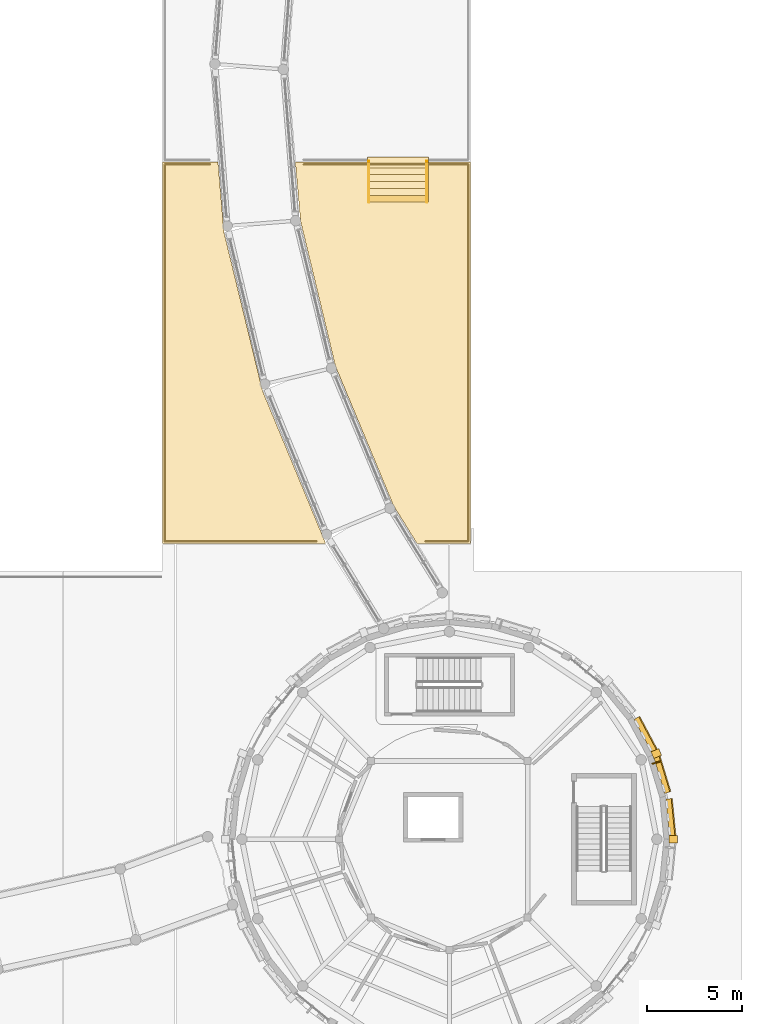
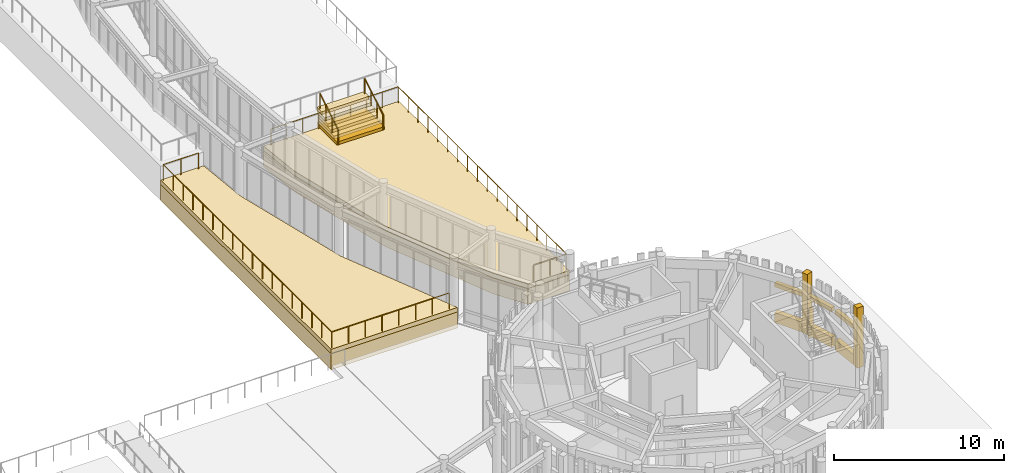
# One storey, part 89 of 94: 18 coverings, 4 railings, 1 shading device.
"""IFC4 building model written with IfcOpenShell, lengths in metres."""

from ifc_helpers import new_model, si_unit, direction, frame, origin, origin_2d, place, context, subcontext, project, spatial, polyline, rectangle, circle, outline, extrude, material, layer, layer_set, type_object, element, save


model = new_model("IFC4")

# Units and contexts
model_context = context("Model", 3, precision=1e-05, world=origin(), true_north=direction((0.0, 1.0)))
body_context = subcontext(model_context, "Body", "Model", "MODEL_VIEW")
ifc_project = project(units=[si_unit("LENGTHUNIT", "METRE"), si_unit("AREAUNIT", "SQUARE_METRE"), si_unit("VOLUMEUNIT", "CUBIC_METRE"), si_unit("PLANEANGLEUNIT", "RADIAN"), si_unit("MASSUNIT", "GRAM", prefix="KILO")], contexts=[model_context])

# Site, building, storey
site_placement = place(None, origin())
site = spatial("IfcSite", under=ifc_project, at=site_placement, CompositionType="ELEMENT")
building_placement = place(site_placement, origin())
building = spatial("IfcBuilding", under=site, at=building_placement, Name="Aldenvaro Health Centre", CompositionType="ELEMENT")
storey_placement = place(building_placement, origin())
storey = spatial("IfcBuildingStorey", under=building, at=storey_placement, Name="L00", CompositionType="ELEMENT", Elevation=0.0)

# Coverings
ifc_material_1 = material(Name="Honed Sonoran Buff Limestone", Category="masonry")
ifc_layer_1 = layer(ifc_material_1, 0.280029296875, Name="Honed Sonoran Buff Limestone", Category="masonry")
ifc_layer_set_1 = layer_set([ifc_layer_1], Name="Honed Sonoran Buff Limestone")
covering_type_1 = type_object("IfcCoveringType", Name="COV-CRN-STN", PredefinedType="CLADDING", material=ifc_layer_set_1)
covering_1_placement = place(storey_placement, frame((166.239990234375, 18.5, -0.00048828125), z_axis=(0.0, 0.0, 1.0), x_axis=(1.0, 0.0, 0.0)))
element("IfcCovering", 1, at=covering_1_placement, inside=storey, type_object=covering_type_1, Name="D6 L00 Engaged Classical Limestone Pilaster 01", PredefinedType="CLADDING", context=body_context, shape_type="SweptSolid", body=[
    extrude(rectangle(XDim=0.43994140625, YDim=0.3798828125, at=origin_2d()), origin(), (0.0, 0.0, 1.0), 4.304931640625),
])
covering_2_placement = place(storey_placement, frame((164.7919921875, 24.001953125, 0.0), z_axis=(0.0, 0.0, 1.0), x_axis=(0.471215232797, -0.882018256263, 0.0)))
element("IfcCovering", 2, at=covering_2_placement, inside=storey, type_object=covering_type_1, Name="D6 L00 Rusticated Limestone Plinth 30.1", PredefinedType="CLADDING", context=body_context, shape_type="SweptSolid", body=[
    extrude(rectangle(XDim=1.955078125, YDim=0.340087890625, at=origin_2d()), origin(), (0.0, 0.0, 1.0), 0.719970703125),
])
covering_3_placement = place(storey_placement, frame((164.76611328125, 23.988037109375, 2.5498046875), z_axis=(0.0, 0.0, 1.0), x_axis=(0.471215232797, -0.882018256263, 0.0)))
element("IfcCovering", 3, at=covering_3_placement, inside=storey, type_object=covering_type_1, Name="D6 L00 Rusticated Limestone Plinth 30.2", PredefinedType="CLADDING", context=body_context, shape_type="SweptSolid", body=[
    extrude(rectangle(XDim=1.955078125, YDim=0.280029296875, at=origin_2d()), origin(), (0.0, 0.0, 1.0), 0.280029296875),
])
covering_4_placement = place(storey_placement, frame((165.6669921875, 21.887939453125, 0.0), z_axis=(0.0, 0.0, 1.0), x_axis=(0.290342622208, -0.956922756407, 0.0)))
element("IfcCovering", 4, at=covering_4_placement, inside=storey, type_object=covering_type_1, Name="D6 L00 Rusticated Limestone Plinth 31.1", PredefinedType="CLADDING", context=body_context, shape_type="SweptSolid", body=[
    extrude(rectangle(XDim=1.955078125, YDim=0.340087890625, at=origin_2d()), origin(), (0.0, 0.0, 1.0), 0.719970703125),
])
covering_5_placement = place(storey_placement, frame((165.638916015625, 21.87890625, 2.5498046875), z_axis=(0.0, 0.0, 1.0), x_axis=(0.290342622208, -0.956922756407, 0.0)))
element("IfcCovering", 5, at=covering_5_placement, inside=storey, type_object=covering_type_1, Name="D6 L00 Rusticated Limestone Plinth 31.2", PredefinedType="CLADDING", context=body_context, shape_type="SweptSolid", body=[
    extrude(rectangle(XDim=1.955078125, YDim=0.280029296875, at=origin_2d()), origin(), (0.0, 0.0, 1.0), 0.280029296875),
])
covering_6_placement = place(storey_placement, frame((165.345947265625, 22.992919921875, -0.00048828125), z_axis=(0.0, 0.0, 1.0), x_axis=(0.923863939312, 0.38272107551, 0.0)))
element("IfcCovering", 6, at=covering_6_placement, inside=storey, type_object=covering_type_1, Name="D6 L00 Engaged Classical Limestone Pilaster 16", PredefinedType="CLADDING", context=body_context, shape_type="SweptSolid", body=[
    extrude(rectangle(XDim=0.43994140625, YDim=0.3798828125, at=origin_2d()), origin(), (0.0, 0.0, 1.0), 4.304931640625),
])
covering_7_placement = place(storey_placement, frame((166.114013671875, 19.64404296875, 0.0), z_axis=(0.0, 0.0, 1.0), x_axis=(0.097997250052, -0.995186685493, 0.0)))
element("IfcCovering", 7, at=covering_7_placement, inside=storey, type_object=covering_type_1, Name="D6 L00 Rusticated Limestone Plinth 32.1", PredefinedType="CLADDING", context=body_context, shape_type="SweptSolid", body=[
    extrude(rectangle(XDim=1.955078125, YDim=0.340087890625, at=origin_2d()), origin(), (0.0, 0.0, 1.0), 0.719970703125),
])
covering_8_placement = place(storey_placement, frame((166.083984375, 19.64111328125, 2.5498046875), z_axis=(0.0, 0.0, 1.0), x_axis=(0.097997250052, -0.995186685493, 0.0)))
element("IfcCovering", 8, at=covering_8_placement, inside=storey, type_object=covering_type_1, Name="D6 L00 Rusticated Limestone Plinth 32.2", PredefinedType="CLADDING", context=body_context, shape_type="SweptSolid", body=[
    extrude(rectangle(XDim=1.955078125, YDim=0.280029296875, at=origin_2d()), origin(), (0.0, 0.0, 1.0), 0.280029296875),
])
covering_9_placement = place(storey_placement, frame((0.0, 0.0, -0.320068359375)))
element("IfcCovering", 9, at=covering_9_placement, inside=storey, type_object=covering_type_1, Name="Lower Foothill Wing and Amphitheatre Court Terrace Rusticated Foothill Stone Plinth 1", PredefinedType="CLADDING", context=body_context, shape_type="SweptSolid", body=[
    extrude(outline(polyline([(146.69189453125, 50.9150390625), (146.419921875, 54.0), (155.60009765625, 54.0), (155.60009765625, 34.0), (152.804931640625, 34.0), (151.56494140625, 35.993896484375), (148.52099609375, 43.304931640625), (146.69189453125, 50.9150390625)])), origin(), (0.0, 0.0, 1.0), 1.150146484375),
])
covering_10_placement = place(storey_placement, frame((0.0, 0.0, -0.320068359375)))
element("IfcCovering", 10, at=covering_10_placement, inside=storey, type_object=covering_type_1, Name="Lower Foothill Wing and Amphitheatre Court Terrace Rusticated Foothill Stone Plinth 2", PredefinedType="CLADDING", context=body_context, shape_type="SweptSolid", body=[
    extrude(outline(polyline([(142.680908203125, 50.321044921875), (144.702880859375, 42.006103515625), (148.01806640625, 34.0), (139.449951171875, 34.0), (139.449951171875, 54.0), (142.366943359375, 54.0), (142.680908203125, 50.321044921875)])), origin(), (0.0, 0.0, 1.0), 1.150146484375),
])
covering_11_placement = place(storey_placement, frame((0.0, 0.0, -0.320068359375)))
element("IfcCovering", 11, at=covering_11_placement, inside=storey, type_object=covering_type_1, Name="Classical Terrace Grand Stair GST-E1 Solid Stone Carriage", PredefinedType="CLADDING", context=body_context, shape_type="SweptSolid", body=[
    extrude(outline(polyline([(150.199951171875, 51.89990234375), (153.39990234375, 51.89990234375), (153.39990234375, 54.260009765625), (150.199951171875, 54.260009765625), (150.199951171875, 51.89990234375)])), origin(), (0.0, 0.0, 1.0), 1.68701171875),
])
ifc_material_2 = material(Name="Honed Sonoran Buff Travertine", Category="masonry")
ifc_layer_2 = layer(ifc_material_2, 0.320068359375, Name="Honed Sonoran Buff Travertine", Category="masonry")
ifc_layer_set_2 = layer_set([ifc_layer_2], Name="Honed Sonoran Buff Travertine")
covering_type_2 = type_object("IfcCoveringType", Name="COV-POD-320", PredefinedType="FLOORING", material=ifc_layer_set_2)
covering_12_placement = place(storey_placement, frame((0.0, 0.0, 0.830078125)))
element("IfcCovering", 12, at=covering_12_placement, inside=storey, type_object=covering_type_2, Name="Lower Foothill Wing and Amphitheatre Court Terrace Coping Deck 1", PredefinedType="FLOORING", context=body_context, shape_type="SweptSolid", body=[
    extrude(outline(polyline([(146.69189453125, 50.9150390625), (146.419921875, 54.0), (155.60009765625, 54.0), (155.60009765625, 34.0), (152.804931640625, 34.0), (151.56494140625, 35.993896484375), (148.52099609375, 43.304931640625), (146.69189453125, 50.9150390625)])), origin(), (0.0, 0.0, 1.0), 0.31982421875),
])
covering_13_placement = place(storey_placement, frame((0.0, 0.0, 0.830078125)))
element("IfcCovering", 13, at=covering_13_placement, inside=storey, type_object=covering_type_2, Name="Lower Foothill Wing and Amphitheatre Court Terrace Coping Deck 2", PredefinedType="FLOORING", context=body_context, shape_type="SweptSolid", body=[
    extrude(outline(polyline([(142.680908203125, 50.321044921875), (144.702880859375, 42.006103515625), (148.01806640625, 34.0), (139.449951171875, 34.0), (139.449951171875, 54.0), (142.366943359375, 54.0), (142.680908203125, 50.321044921875)])), origin(), (0.0, 0.0, 1.0), 0.31982421875),
])
covering_14_placement = place(storey_placement, frame((0.0, 0.0, 1.366943359375)))
element("IfcCovering", 14, at=covering_14_placement, inside=storey, type_object=covering_type_2, Name="Classical Terrace Grand Stair GST-E1 Stone Step 2", PredefinedType="FLOORING", context=body_context, shape_type="SweptSolid", body=[
    extrude(outline(polyline([(150.199951171875, 52.260009765625), (153.39990234375, 52.260009765625), (153.39990234375, 54.260009765625), (150.199951171875, 54.260009765625), (150.199951171875, 52.260009765625)])), origin(), (0.0, 0.0, 1.0), 0.216064453125),
])
covering_15_placement = place(storey_placement, frame((0.0, 0.0, 1.5830078125)))
element("IfcCovering", 15, at=covering_15_placement, inside=storey, type_object=covering_type_2, Name="Classical Terrace Grand Stair GST-E1 Stone Step 3", PredefinedType="FLOORING", context=body_context, shape_type="SweptSolid", body=[
    extrude(outline(polyline([(150.199951171875, 52.6201171875), (153.39990234375, 52.6201171875), (153.39990234375, 54.260009765625), (150.199951171875, 54.260009765625), (150.199951171875, 52.6201171875)])), origin(), (0.0, 0.0, 1.0), 0.217041015625),
])
covering_16_placement = place(storey_placement, frame((0.0, 0.0, 1.800048828125)))
element("IfcCovering", 16, at=covering_16_placement, inside=storey, type_object=covering_type_2, Name="Classical Terrace Grand Stair GST-E1 Stone Step 4", PredefinedType="FLOORING", context=body_context, shape_type="SweptSolid", body=[
    extrude(outline(polyline([(150.199951171875, 52.97998046875), (153.39990234375, 52.97998046875), (153.39990234375, 54.260009765625), (150.199951171875, 54.260009765625), (150.199951171875, 52.97998046875)])), origin(), (0.0, 0.0, 1.0), 0.217041015625),
])
covering_17_placement = place(storey_placement, frame((0.0, 0.0, 2.01708984375)))
element("IfcCovering", 17, at=covering_17_placement, inside=storey, type_object=covering_type_2, Name="Classical Terrace Grand Stair GST-E1 Stone Step 5", PredefinedType="FLOORING", context=body_context, shape_type="SweptSolid", body=[
    extrude(outline(polyline([(150.199951171875, 53.340087890625), (153.39990234375, 53.340087890625), (153.39990234375, 54.260009765625), (150.199951171875, 54.260009765625), (150.199951171875, 53.340087890625)])), origin(), (0.0, 0.0, 1.0), 0.2158203125),
])
covering_18_placement = place(storey_placement, frame((0.0, 0.0, 2.23291015625)))
element("IfcCovering", 18, at=covering_18_placement, inside=storey, type_object=covering_type_2, Name="Classical Terrace Grand Stair GST-E1 Stone Step 6", PredefinedType="FLOORING", context=body_context, shape_type="SweptSolid", body=[
    extrude(outline(polyline([(150.199951171875, 53.699951171875), (153.39990234375, 53.699951171875), (153.39990234375, 54.260009765625), (150.199951171875, 54.260009765625), (150.199951171875, 53.699951171875)])), origin(), (0.0, 0.0, 1.0), 0.217041015625),
])

# Railings
ifc_material_3 = material(Name="Painted Architectural Steel", Category="steel")
railing_type_1 = type_object("IfcRailingType", Name="RL-BAL-110", PredefinedType="GUARDRAIL", material=ifc_material_3)
for number, where, name in (
    (19, (150.280029296875, 51.89990234375, 1.14990234375), "Classical Terrace Grand Stair GST-E1 Balustrade W"),
    (20, (153.320068359375, 51.89990234375, 1.14990234375), "Classical Terrace Grand Stair GST-E1 Balustrade E"),
):
    element("IfcRailing", number, at=place(storey_placement, frame(where)), inside=storey, type_object=railing_type_1, Name=name, PredefinedType="GUARDRAIL", context=body_context, shape_type="SweptSolid", body=[
        extrude(circle(Radius=0.02392578125, at=origin_2d()), frame((0.0, 0.0, 1.076171875), z_axis=(0.0, 0.856800061236, 0.515648771031), x_axis=(-1.0, 0.0, 0.0)), (0.0, 0.0, 1.0), 2.521240234375),
        extrude(circle(Radius=0.02099609375, at=origin_2d()), origin(), (0.0, 0.0, 1.0), 1.052001953125),
        extrude(circle(Radius=0.02099609375, at=origin_2d()), frame((0.0, 0.719970703125, 0.433349609375)), (0.0, 0.0, 1.0), 1.052001953125),
        extrude(circle(Radius=0.02099609375, at=origin_2d()), frame((0.0, 1.440185546875, 0.86669921875)), (0.0, 0.0, 1.0), 1.052001953125),
        extrude(circle(Radius=0.02099609375, at=origin_2d()), frame((0.0, 2.16015625, 1.300048828125)), (0.0, 0.0, 1.0), 1.052001953125),
    ])
railing_type_2 = type_object("IfcRailingType", Name="RL-BAL-115", PredefinedType="GUARDRAIL", material=ifc_material_3)
railing_1_placement = place(storey_placement, frame((146.860107421875, 53.8798828125, 1.14990234375)))
element("IfcRailing", 21, at=railing_1_placement, inside=storey, type_object=railing_type_2, Name="Lower Foothill Wing and Amphitheatre Court Terrace Classical Balustrade 1", PredefinedType="GUARDRAIL", context=body_context, shape_type="SweptSolid", body=[
    extrude(circle(Radius=0.02392578125, at=origin_2d()), frame((0.0, 0.0, 1.1357421875), z_axis=(1.0, 0.0, 0.0), x_axis=(0.0, 1.0, 0.0)), (0.0, 0.0, 1.0), 8.619873046875),
    extrude(circle(Radius=0.02392578125, at=origin_2d()), frame((8.619873046875, 0.0, 1.1357421875), z_axis=(0.0, -1.0, 0.0), x_axis=(1.0, 0.0, 0.0)), (0.0, 0.0, 1.0), 19.759765625),
    extrude(circle(Radius=0.02392578125, at=origin_2d()), frame((8.619873046875, -19.759765625, 1.1357421875), z_axis=(-1.0, 0.0, 0.0), x_axis=(0.0, -1.0, 0.0)), (0.0, 0.0, 1.0), 2.243896484375),
    extrude(circle(Radius=0.02099609375, at=origin_2d()), origin(), (0.0, 0.0, 1.0), 1.11181640625),
    extrude(circle(Radius=0.02099609375, at=origin_2d()), frame((1.077392578125, 0.0, 0.0)), (0.0, 0.0, 1.0), 1.11181640625),
    extrude(circle(Radius=0.02099609375, at=origin_2d()), frame((2.155029296875, 0.0, 0.0)), (0.0, 0.0, 1.0), 1.11181640625),
    extrude(circle(Radius=0.02099609375, at=origin_2d()), frame((3.232421875, 0.0, 0.0)), (0.0, 0.0, 1.0), 1.11181640625),
    extrude(circle(Radius=0.02099609375, at=origin_2d()), frame((4.31005859375, 0.0, 0.0)), (0.0, 0.0, 1.0), 1.11181640625),
    extrude(circle(Radius=0.02099609375, at=origin_2d()), frame((5.387451171875, 0.0, 0.0)), (0.0, 0.0, 1.0), 1.11181640625),
    extrude(circle(Radius=0.02099609375, at=origin_2d()), frame((6.46484375, 0.0, 0.0)), (0.0, 0.0, 1.0), 1.11181640625),
    extrude(circle(Radius=0.02099609375, at=origin_2d()), frame((7.54248046875, 0.0, 0.0)), (0.0, 0.0, 1.0), 1.11181640625),
    extrude(circle(Radius=0.02099609375, at=origin_2d()), frame((8.619873046875, 0.0, 0.0)), (0.0, 0.0, 1.0), 1.11181640625),
    extrude(circle(Radius=0.02099609375, at=origin_2d()), frame((8.619873046875, -1.162353515625, 0.0)), (0.0, 0.0, 1.0), 1.11181640625),
    extrude(circle(Radius=0.02099609375, at=origin_2d()), frame((8.619873046875, -2.32470703125, 0.0)), (0.0, 0.0, 1.0), 1.11181640625),
    extrude(circle(Radius=0.02099609375, at=origin_2d()), frame((8.619873046875, -3.487060546875, 0.0)), (0.0, 0.0, 1.0), 1.11181640625),
    extrude(circle(Radius=0.02099609375, at=origin_2d()), frame((8.619873046875, -4.6494140625, 0.0)), (0.0, 0.0, 1.0), 1.11181640625),
    extrude(circle(Radius=0.02099609375, at=origin_2d()), frame((8.619873046875, -5.811767578125, 0.0)), (0.0, 0.0, 1.0), 1.11181640625),
    extrude(circle(Radius=0.02099609375, at=origin_2d()), frame((8.619873046875, -6.97412109375, 0.0)), (0.0, 0.0, 1.0), 1.11181640625),
    extrude(circle(Radius=0.02099609375, at=origin_2d()), frame((8.619873046875, -8.136474609375, 0.0)), (0.0, 0.0, 1.0), 1.11181640625),
    extrude(circle(Radius=0.02099609375, at=origin_2d()), frame((8.619873046875, -9.298828125, 0.0)), (0.0, 0.0, 1.0), 1.11181640625),
    extrude(circle(Radius=0.02099609375, at=origin_2d()), frame((8.619873046875, -10.4609375, 0.0)), (0.0, 0.0, 1.0), 1.11181640625),
    extrude(circle(Radius=0.02099609375, at=origin_2d()), frame((8.619873046875, -11.623291015625, 0.0)), (0.0, 0.0, 1.0), 1.11181640625),
    extrude(circle(Radius=0.02099609375, at=origin_2d()), frame((8.619873046875, -12.78564453125, 0.0)), (0.0, 0.0, 1.0), 1.11181640625),
    extrude(circle(Radius=0.02099609375, at=origin_2d()), frame((8.619873046875, -13.947998046875, 0.0)), (0.0, 0.0, 1.0), 1.11181640625),
    extrude(circle(Radius=0.02099609375, at=origin_2d()), frame((8.619873046875, -15.1103515625, 0.0)), (0.0, 0.0, 1.0), 1.11181640625),
    extrude(circle(Radius=0.02099609375, at=origin_2d()), frame((8.619873046875, -16.272705078125, 0.0)), (0.0, 0.0, 1.0), 1.11181640625),
    extrude(circle(Radius=0.02099609375, at=origin_2d()), frame((8.619873046875, -17.43505859375, 0.0)), (0.0, 0.0, 1.0), 1.11181640625),
    extrude(circle(Radius=0.02099609375, at=origin_2d()), frame((8.619873046875, -18.597412109375, 0.0)), (0.0, 0.0, 1.0), 1.11181640625),
    extrude(circle(Radius=0.02099609375, at=origin_2d()), frame((8.619873046875, -19.759765625, 0.0)), (0.0, 0.0, 1.0), 1.11181640625),
    extrude(circle(Radius=0.02099609375, at=origin_2d()), frame((7.498046875, -19.759765625, 0.0)), (0.0, 0.0, 1.0), 1.11181640625),
    extrude(circle(Radius=0.02099609375, at=origin_2d()), frame((6.3759765625, -19.759765625, 0.0)), (0.0, 0.0, 1.0), 1.11181640625),
])
railing_2_placement = place(storey_placement, frame((147.52197265625, 34.1201171875, 1.14990234375)))
element("IfcRailing", 22, at=railing_2_placement, inside=storey, type_object=railing_type_2, Name="Lower Foothill Wing and Amphitheatre Court Terrace Classical Balustrade 2", PredefinedType="GUARDRAIL", context=body_context, shape_type="SweptSolid", body=[
    extrude(circle(Radius=0.02392578125, at=origin_2d()), frame((0.0, 0.0, 1.1357421875), z_axis=(-1.0, 0.0, 0.0), x_axis=(0.0, -1.0, 0.0)), (0.0, 0.0, 1.0), 7.951904296875),
    extrude(circle(Radius=0.02392578125, at=origin_2d()), frame((-7.951904296875, 0.0, 1.1357421875), z_axis=(0.0, 1.0, 0.0), x_axis=(-1.0, 0.0, 0.0)), (0.0, 0.0, 1.0), 19.759765625),
    extrude(circle(Radius=0.02392578125, at=origin_2d()), frame((-7.951904296875, 19.759765625, 1.1357421875), z_axis=(1.0, 0.0, 0.0), x_axis=(0.0, 1.0, 0.0)), (0.0, 0.0, 1.0), 2.375),
    extrude(circle(Radius=0.02099609375, at=origin_2d()), origin(), (0.0, 0.0, 1.0), 1.11181640625),
    extrude(circle(Radius=0.02099609375, at=origin_2d()), frame((-1.135986328125, 0.0, 0.0)), (0.0, 0.0, 1.0), 1.11181640625),
    extrude(circle(Radius=0.02099609375, at=origin_2d()), frame((-2.27197265625, 0.0, 0.0)), (0.0, 0.0, 1.0), 1.11181640625),
    extrude(circle(Radius=0.02099609375, at=origin_2d()), frame((-3.407958984375, 0.0, 0.0)), (0.0, 0.0, 1.0), 1.11181640625),
    extrude(circle(Radius=0.02099609375, at=origin_2d()), frame((-4.5439453125, 0.0, 0.0)), (0.0, 0.0, 1.0), 1.11181640625),
    extrude(circle(Radius=0.02099609375, at=origin_2d()), frame((-5.679931640625, 0.0, 0.0)), (0.0, 0.0, 1.0), 1.11181640625),
    extrude(circle(Radius=0.02099609375, at=origin_2d()), frame((-6.81591796875, 0.0, 0.0)), (0.0, 0.0, 1.0), 1.11181640625),
    extrude(circle(Radius=0.02099609375, at=origin_2d()), frame((-7.951904296875, 0.0, 0.0)), (0.0, 0.0, 1.0), 1.11181640625),
    extrude(circle(Radius=0.02099609375, at=origin_2d()), frame((-7.951904296875, 1.162353515625, 0.0)), (0.0, 0.0, 1.0), 1.11181640625),
    extrude(circle(Radius=0.02099609375, at=origin_2d()), frame((-7.951904296875, 2.32470703125, 0.0)), (0.0, 0.0, 1.0), 1.11181640625),
    extrude(circle(Radius=0.02099609375, at=origin_2d()), frame((-7.951904296875, 3.487060546875, 0.0)), (0.0, 0.0, 1.0), 1.11181640625),
    extrude(circle(Radius=0.02099609375, at=origin_2d()), frame((-7.951904296875, 4.6494140625, 0.0)), (0.0, 0.0, 1.0), 1.11181640625),
    extrude(circle(Radius=0.02099609375, at=origin_2d()), frame((-7.951904296875, 5.811767578125, 0.0)), (0.0, 0.0, 1.0), 1.11181640625),
    extrude(circle(Radius=0.02099609375, at=origin_2d()), frame((-7.951904296875, 6.97412109375, 0.0)), (0.0, 0.0, 1.0), 1.11181640625),
    extrude(circle(Radius=0.02099609375, at=origin_2d()), frame((-7.951904296875, 8.136474609375, 0.0)), (0.0, 0.0, 1.0), 1.11181640625),
    extrude(circle(Radius=0.02099609375, at=origin_2d()), frame((-7.951904296875, 9.298828125, 0.0)), (0.0, 0.0, 1.0), 1.11181640625),
    extrude(circle(Radius=0.02099609375, at=origin_2d()), frame((-7.951904296875, 10.4609375, 0.0)), (0.0, 0.0, 1.0), 1.11181640625),
    extrude(circle(Radius=0.02099609375, at=origin_2d()), frame((-7.951904296875, 11.623291015625, 0.0)), (0.0, 0.0, 1.0), 1.11181640625),
    extrude(circle(Radius=0.02099609375, at=origin_2d()), frame((-7.951904296875, 12.78564453125, 0.0)), (0.0, 0.0, 1.0), 1.11181640625),
    extrude(circle(Radius=0.02099609375, at=origin_2d()), frame((-7.951904296875, 13.947998046875, 0.0)), (0.0, 0.0, 1.0), 1.11181640625),
    extrude(circle(Radius=0.02099609375, at=origin_2d()), frame((-7.951904296875, 15.1103515625, 0.0)), (0.0, 0.0, 1.0), 1.11181640625),
    extrude(circle(Radius=0.02099609375, at=origin_2d()), frame((-7.951904296875, 16.272705078125, 0.0)), (0.0, 0.0, 1.0), 1.11181640625),
    extrude(circle(Radius=0.02099609375, at=origin_2d()), frame((-7.951904296875, 17.43505859375, 0.0)), (0.0, 0.0, 1.0), 1.11181640625),
    extrude(circle(Radius=0.02099609375, at=origin_2d()), frame((-7.951904296875, 18.597412109375, 0.0)), (0.0, 0.0, 1.0), 1.11181640625),
    extrude(circle(Radius=0.02099609375, at=origin_2d()), frame((-7.951904296875, 19.759765625, 0.0)), (0.0, 0.0, 1.0), 1.11181640625),
    extrude(circle(Radius=0.02099609375, at=origin_2d()), frame((-6.764404296875, 19.759765625, 0.0)), (0.0, 0.0, 1.0), 1.11181640625),
    extrude(circle(Radius=0.02099609375, at=origin_2d()), frame((-5.576904296875, 19.759765625, 0.0)), (0.0, 0.0, 1.0), 1.11181640625),
])

# Shading device
ifc_material_4 = material(Name="Douglas Fir Exterior Glulam GL28h", Category="wood")
shading_device_type = type_object("IfcShadingDeviceType", Name="SHD-FIN-205", PredefinedType="USERDEFINED", material=ifc_material_4)
shading_device_placement = place(storey_placement, frame((165.321044921875, 22.511962890625, -0.02001953125), z_axis=(0.0, 0.0, 1.0), x_axis=(0.290342622208, -0.956922756407, 0.0)))
element("IfcShadingDevice", 23, at=shading_device_placement, inside=storey, type_object=shading_device_type, Name="D6 L00 Douglas fir fin 31.1", ObjectType="FIN", PredefinedType="USERDEFINED", context=body_context, shape_type="SweptSolid", body=[
    extrude(rectangle(XDim=0.06494140625, YDim=0.419921875, at=origin_2d()), origin(), (0.0, 0.0, 1.0), 2.050048828125),
])

save(model, "model.ifc")
